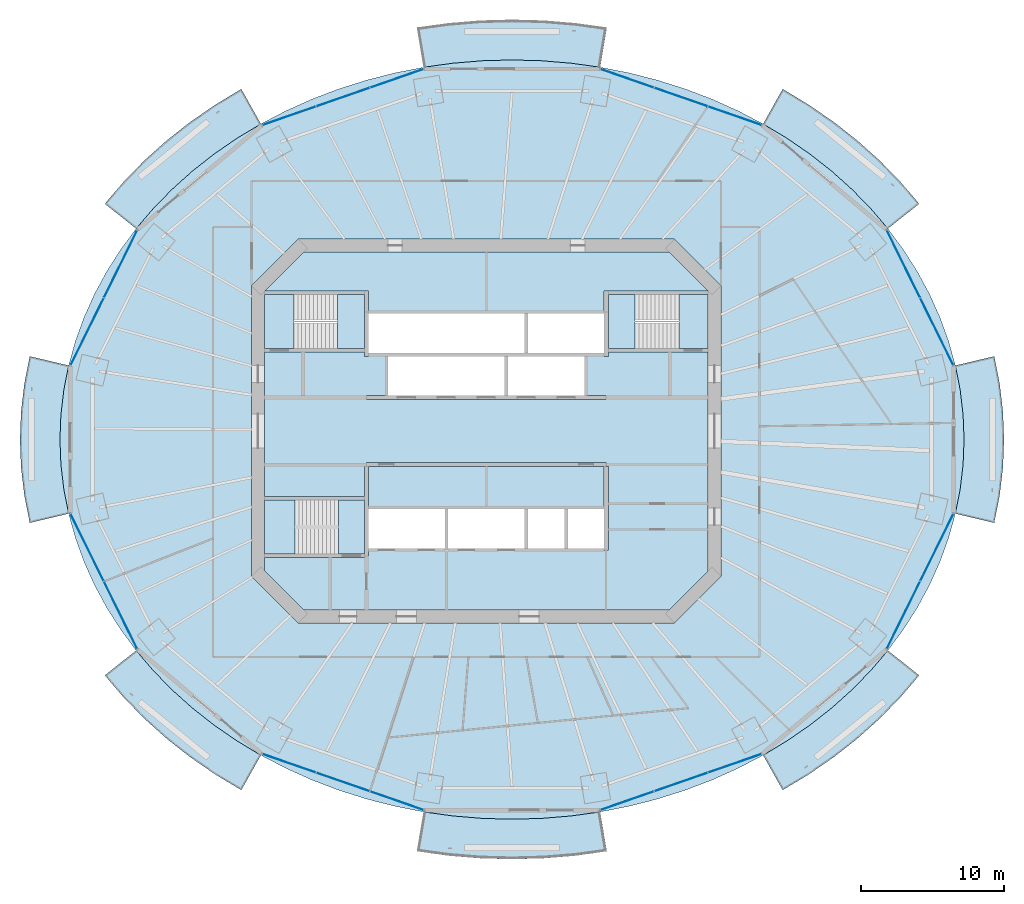
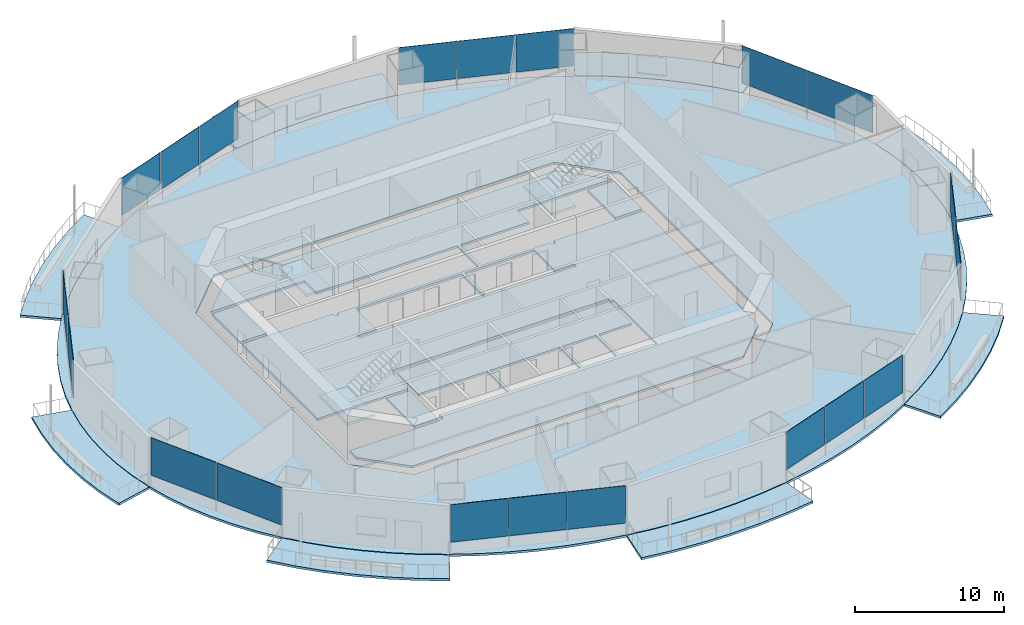
# One storey, part 11 of 21: 20 plates, 16 slabs, 11 elements without a shape of their own.
"""IFC4 building model written with IfcOpenShell, lengths in metres."""

from ifc_helpers import new_model, si_unit, direction, frame, origin, origin_2d, place, context, subcontext, project, spatial, polyline, rectangle, outline, extrude, material, layer, layer_set, type_object, element, aggregate, save


model = new_model("IFC4")

# Units and contexts
model_context = context("Model", 3, precision=1e-05, world=origin(), true_north=direction((0.0, 1.0)))
body_context = subcontext(model_context, "Body", "Model", "MODEL_VIEW")
ifc_project = project(units=[si_unit("LENGTHUNIT", "METRE"), si_unit("AREAUNIT", "SQUARE_METRE"), si_unit("VOLUMEUNIT", "CUBIC_METRE"), si_unit("PLANEANGLEUNIT", "RADIAN"), si_unit("MASSUNIT", "GRAM", prefix="KILO")], contexts=[model_context])

# Site, building, storey
site_placement = place(None, origin())
site = spatial("IfcSite", under=ifc_project, at=site_placement, CompositionType="ELEMENT")
building_placement = place(site_placement, origin())
building = spatial("IfcBuilding", under=site, at=building_placement, Name="Marenthal Gate Tower", CompositionType="ELEMENT")
storey_placement = place(building_placement, frame((0.0, 0.0, 206.699951171875)))
storey = spatial("IfcBuildingStorey", under=building, at=storey_placement, Name="L45", CompositionType="ELEMENT", Elevation=206.699951171875)

# Slabs
ifc_material_1 = material(Name="Concrete 40 MPa", Category="concrete")
ifc_layer_1 = layer(ifc_material_1, 0.179931640625)
ifc_layer_set_1 = layer_set([ifc_layer_1], Name="Balcony deck 180")
slab_type_1 = type_object("IfcSlabType", Name="Balcony deck 180", PredefinedType="USERDEFINED", material=ifc_layer_set_1)
slab_1_placement = place(storey_placement, frame((0.0, 0.0, -0.219970703125)))
element("IfcSlab", 1, at=slab_1_placement, inside=storey, type_object=slab_type_1, Name="Balcony deck L45 bay 2", ObjectType="BALCONY", PredefinedType="USERDEFINED", context=body_context, shape_type="SweptSolid", body=[
    extrude(outline(polyline([(28.15087890625, 14.1865234375), (26.943115234375, 15.602294921875), (25.627197265625, 16.948486328125), (24.209716796875, 18.219482421875), (22.696044921875, 19.41015625), (21.093017578125, 20.51513671875), (19.406982421875, 21.529541015625), (20.77734375, 23.971435546875), (22.609619140625, 22.86865234375), (24.3564453125, 21.664794921875), (26.01025390625, 20.36376953125), (27.56396484375, 18.970703125), (29.010009765625, 17.490966796875), (30.342041015625, 15.929931640625), (28.15087890625, 14.1865234375)])), origin(), (0.0, 0.0, 1.0), 0.179931640625),
])
slab_2_placement = place(storey_placement, frame((0.0, 0.0, -0.219970703125)))
element("IfcSlab", 2, at=slab_2_placement, inside=storey, type_object=slab_type_1, Name="Balcony deck L45 bay 4", ObjectType="BALCONY", PredefinedType="USERDEFINED", context=body_context, shape_type="SweptSolid", body=[
    extrude(outline(polyline([(7.98291015625, 25.503662109375), (5.9365234375, 25.787353515625), (3.872802734375, 25.9580078125), (1.800048828125, 26.014892578125), (-0.272705078125, 25.9580078125), (-2.336669921875, 25.787353515625), (-4.3828125, 25.503662109375), (-4.84423828125, 28.265380859375), (-2.644287109375, 28.5703125), (-0.4267578125, 28.753662109375), (1.800048828125, 28.81494140625), (4.026611328125, 28.753662109375), (6.244384765625, 28.5703125), (8.444091796875, 28.265380859375), (7.98291015625, 25.503662109375)])), origin(), (0.0, 0.0, 1.0), 0.179931640625),
])
slab_3_placement = place(storey_placement, frame((0.0, 0.0, -0.219970703125)))
element("IfcSlab", 3, at=slab_3_placement, inside=storey, type_object=slab_type_1, Name="Balcony deck L45 bay 6", ObjectType="BALCONY", PredefinedType="USERDEFINED", context=body_context, shape_type="SweptSolid", body=[
    extrude(outline(polyline([(-15.80712890625, 21.529541015625), (-17.492919921875, 20.51513671875), (-19.095947265625, 19.41015625), (-20.609619140625, 18.219482421875), (-22.02734375, 16.948486328125), (-23.343017578125, 15.602294921875), (-24.55078125, 14.1865234375), (-26.741943359375, 15.929931640625), (-25.41015625, 17.490966796875), (-23.9638671875, 18.970703125), (-22.410400390625, 20.36376953125), (-20.75634765625, 21.664794921875), (-19.009521484375, 22.86865234375), (-17.17724609375, 23.971435546875), (-15.80712890625, 21.529541015625)])), origin(), (0.0, 0.0, 1.0), 0.179931640625),
])
slab_4_placement = place(storey_placement, frame((0.0, 0.0, -0.219970703125)))
element("IfcSlab", 4, at=slab_4_placement, inside=storey, type_object=slab_type_1, Name="Balcony deck L45 bay 8", ObjectType="BALCONY", PredefinedType="USERDEFINED", context=body_context, shape_type="SweptSolid", body=[
    extrude(outline(polyline([(-29.282958984375, 4.59228515625), (-29.620849609375, 2.8740234375), (-29.82421875, 1.140625), (-29.89208984375, -0.60009765625), (-29.82421875, -2.3408203125), (-29.620849609375, -4.073974609375), (-29.282958984375, -5.792236328125), (-32.007568359375, -6.437744140625), (-32.38720703125, -4.507568359375), (-32.61572265625, -2.55859375), (-32.69189453125, -0.60009765625), (-32.61572265625, 1.358642578125), (-32.38720703125, 3.3076171875), (-32.007568359375, 5.237548828125), (-29.282958984375, 4.59228515625)])), origin(), (0.0, 0.0, 1.0), 0.179931640625),
])
slab_5_placement = place(storey_placement, frame((0.0, 0.0, -0.219970703125)))
element("IfcSlab", 5, at=slab_5_placement, inside=storey, type_object=slab_type_1, Name="Balcony deck L45 bay 10", ObjectType="BALCONY", PredefinedType="USERDEFINED", context=body_context, shape_type="SweptSolid", body=[
    extrude(outline(polyline([(-24.55078125, -15.386474609375), (-23.343017578125, -16.80224609375), (-22.02734375, -18.1484375), (-20.609619140625, -19.419677734375), (-19.095947265625, -20.610107421875), (-17.492919921875, -21.715087890625), (-15.80712890625, -22.7294921875), (-17.17724609375, -25.17138671875), (-19.009521484375, -24.06884765625), (-20.75634765625, -22.86474609375), (-22.410400390625, -21.563720703125), (-23.9638671875, -20.1708984375), (-25.41015625, -18.69091796875), (-26.741943359375, -17.1298828125), (-24.55078125, -15.386474609375)])), origin(), (0.0, 0.0, 1.0), 0.179931640625),
])
slab_6_placement = place(storey_placement, frame((0.0, 0.0, -0.219970703125)))
element("IfcSlab", 6, at=slab_6_placement, inside=storey, type_object=slab_type_1, Name="Balcony deck L45 bay 12", ObjectType="BALCONY", PredefinedType="USERDEFINED", context=body_context, shape_type="SweptSolid", body=[
    extrude(outline(polyline([(-4.3828125, -26.70361328125), (-2.336669921875, -26.9873046875), (-0.272705078125, -27.157958984375), (1.800048828125, -27.215087890625), (3.872802734375, -27.157958984375), (5.9365234375, -26.9873046875), (7.98291015625, -26.70361328125), (8.444091796875, -29.46533203125), (6.244384765625, -29.770263671875), (4.026611328125, -29.953857421875), (1.800048828125, -30.014892578125), (-0.4267578125, -29.953857421875), (-2.644287109375, -29.770263671875), (-4.84423828125, -29.46533203125), (-4.3828125, -26.70361328125)])), origin(), (0.0, 0.0, 1.0), 0.179931640625),
])
slab_7_placement = place(storey_placement, frame((0.0, 0.0, -0.219970703125)))
element("IfcSlab", 7, at=slab_7_placement, inside=storey, type_object=slab_type_1, Name="Balcony deck L45 bay 14", ObjectType="BALCONY", PredefinedType="USERDEFINED", context=body_context, shape_type="SweptSolid", body=[
    extrude(outline(polyline([(19.406982421875, -22.7294921875), (21.093017578125, -21.715087890625), (22.696044921875, -20.610107421875), (24.209716796875, -19.419677734375), (25.627197265625, -18.1484375), (26.943115234375, -16.80224609375), (28.15087890625, -15.386474609375), (30.342041015625, -17.1298828125), (29.010009765625, -18.69091796875), (27.56396484375, -20.1708984375), (26.01025390625, -21.563720703125), (24.3564453125, -22.86474609375), (22.609619140625, -24.06884765625), (20.77734375, -25.17138671875), (19.406982421875, -22.7294921875)])), origin(), (0.0, 0.0, 1.0), 0.179931640625),
])
slab_8_placement = place(storey_placement, frame((0.0, 0.0, -0.219970703125)))
element("IfcSlab", 8, at=slab_8_placement, inside=storey, type_object=slab_type_1, Name="Balcony deck L45 bay 16", ObjectType="BALCONY", PredefinedType="USERDEFINED", context=body_context, shape_type="SweptSolid", body=[
    extrude(outline(polyline([(32.883056640625, -5.792236328125), (33.220947265625, -4.073974609375), (33.424072265625, -2.3408203125), (33.491943359375, -0.60009765625), (33.424072265625, 1.140625), (33.220947265625, 2.8740234375), (32.883056640625, 4.59228515625), (35.607666015625, 5.237548828125), (35.987060546875, 3.3076171875), (36.215576171875, 1.358642578125), (36.2919921875, -0.60009765625), (36.215576171875, -2.55859375), (35.987060546875, -4.507568359375), (35.607666015625, -6.437744140625), (32.883056640625, -5.792236328125)])), origin(), (0.0, 0.0, 1.0), 0.179931640625),
])
ifc_material_2 = material(Name="Concrete 50 MPa", Category="concrete")
ifc_layer_2 = layer(ifc_material_2, 0.179931640625)
ifc_layer_set_2 = layer_set([ifc_layer_2], Name="Core floor slab 180")
slab_type_2 = type_object("IfcSlabType", Name="Core floor slab 180", PredefinedType="FLOOR", material=ifc_layer_set_2)
slab_9_placement = place(storey_placement, frame((0.0, 0.0, -0.179931640625)))
element("IfcSlab", 9, at=slab_9_placement, inside=storey, type_object=slab_type_2, Name="Core floor L45", PredefinedType="FLOOR", context=body_context, shape_type="SweptSolid", body=[
    extrude(outline(polyline([(12.813720703125, -12.550048828125), (-12.813720703125, -12.550048828125), (-15.550048828125, -9.813720703125), (-15.550048828125, -8.875), (-8.550048828125, -8.875), (-8.550048828125, -8.75), (-8.25, -8.75), (-8.25, -8.239990234375), (-5.60009765625, -8.239990234375), (-2.909912109375, -8.239990234375), (-2.909912109375, -5.4599609375), (-5.60009765625, -5.4599609375), (-8.25, -5.4599609375), (-8.25, -2.5), (8.25, -2.5), (8.25, -5.4599609375), (5.7099609375, -5.4599609375), (5.7099609375, -8.239990234375), (8.25, -8.239990234375), (8.25, -8.35009765625), (8.550048828125, -8.35009765625), (8.550048828125, -2.5), (8.39990234375, -2.5), (8.39990234375, -2.199951171875), (-8.39990234375, -2.199951171875), (-8.39990234375, -2.5), (-8.550048828125, -2.5), (-8.550048828125, -4.574951171875), (-15.550048828125, -4.574951171875), (-15.550048828125, 5.52490234375), (-8.550048828125, 5.52490234375), (-8.550048828125, 5.239990234375), (-8.25, 5.239990234375), (-8.25, 5.4599609375), (-5.60009765625, 5.4599609375), (-2.800048828125, 5.4599609375), (0.0, 5.4599609375), (2.68994140625, 5.4599609375), (2.68994140625, 8.239990234375), (0.0, 8.239990234375), (-2.800048828125, 8.239990234375), (-5.60009765625, 8.239990234375), (-8.25, 8.239990234375), (-8.25, 8.35009765625), (-8.25, 9.824951171875), (-8.550048828125, 9.824951171875), (-15.53857421875, 9.824951171875), (-12.813720703125, 12.550048828125), (12.813720703125, 12.550048828125), (15.53857421875, 9.824951171875), (8.550048828125, 9.824951171875), (8.25, 9.824951171875), (8.25, 8.35009765625), (8.25, 8.239990234375), (5.60009765625, 8.239990234375), (2.909912109375, 8.239990234375), (2.909912109375, 5.4599609375), (5.60009765625, 5.4599609375), (8.25, 5.4599609375), (8.25, 5.239990234375), (8.550048828125, 5.239990234375), (8.550048828125, 5.52490234375), (15.550048828125, 5.52490234375), (15.550048828125, -9.813720703125), (12.813720703125, -12.550048828125)]), holes=[polyline([(2.68994140625, -8.239990234375), (2.68994140625, -5.4599609375), (0.0, -5.4599609375), (-2.68994140625, -5.4599609375), (-2.68994140625, -8.239990234375), (0.0, -8.239990234375), (2.68994140625, -8.239990234375)]), polyline([(-6.889892578125, 5.239990234375), (-6.889892578125, 2.5), (-8.39990234375, 2.5), (-8.39990234375, 2.199951171875), (8.39990234375, 2.199951171875), (8.39990234375, 2.5), (6.889892578125, 2.5), (6.889892578125, 5.239990234375), (4.199951171875, 5.239990234375), (1.510009765625, 5.239990234375), (1.510009765625, 2.5), (1.2900390625, 2.5), (1.2900390625, 5.239990234375), (-1.39990234375, 5.239990234375), (-4.199951171875, 5.239990234375), (-6.889892578125, 5.239990234375)]), polyline([(5.489990234375, -8.239990234375), (5.489990234375, -5.4599609375), (2.909912109375, -5.4599609375), (2.909912109375, -8.239990234375), (5.489990234375, -8.239990234375)])]), origin(), (0.0, 0.0, 1.0), 0.179931640625),
])
slab_10_placement = place(storey_placement, frame((0.0, 0.0, -0.179931640625)))
element("IfcSlab", 10, at=slab_10_placement, inside=storey, type_object=slab_type_2, Name="Core floor L45", PredefinedType="FLOOR", context=body_context, shape_type="SweptSolid", body=[
    extrude(outline(polyline([(15.550048828125, 5.77490234375), (13.5, 5.77490234375), (13.5, 9.574951171875), (15.550048828125, 9.574951171875), (15.550048828125, 5.77490234375)])), origin(), (0.0, 0.0, 1.0), 0.179931640625),
])
slab_11_placement = place(storey_placement, frame((0.0, 0.0, -0.179931640625)))
element("IfcSlab", 11, at=slab_11_placement, inside=storey, type_object=slab_type_2, Name="Core floor L45", PredefinedType="FLOOR", context=body_context, shape_type="SweptSolid", body=[
    extrude(outline(polyline([(-15.550048828125, 9.574951171875), (-13.5, 9.574951171875), (-13.5, 5.77490234375), (-15.550048828125, 5.77490234375), (-15.550048828125, 9.574951171875)])), origin(), (0.0, 0.0, 1.0), 0.179931640625),
])
slab_12_placement = place(storey_placement, frame((0.0, 0.0, -0.179931640625)))
element("IfcSlab", 12, at=slab_12_placement, inside=storey, type_object=slab_type_2, Name="Core floor L45", PredefinedType="FLOOR", context=body_context, shape_type="SweptSolid", body=[
    extrude(outline(polyline([(-8.550048828125, -8.625), (-10.35009765625, -8.625), (-10.35009765625, -4.824951171875), (-8.550048828125, -4.824951171875), (-8.550048828125, -8.625)])), origin(), (0.0, 0.0, 1.0), 0.179931640625),
])
ifc_material_3 = material(Name="Concrete 35 MPa", Category="concrete")
ifc_layer_3 = layer(ifc_material_3, 0.179931640625)
ifc_layer_set_3 = layer_set([ifc_layer_3], Name="Floor slab 180")
slab_type_3 = type_object("IfcSlabType", Name="Floor slab 180", PredefinedType="FLOOR", material=ifc_layer_set_3)
slab_13_placement = place(storey_placement, frame((0.0, 0.0, -0.179931640625)))
element("IfcSlab", 13, at=slab_13_placement, inside=storey, type_object=slab_type_3, Name="SL-L45-01", PredefinedType="FLOOR", context=body_context, shape_type="SweptSolid", body=[
    extrude(outline(polyline([(33.491943359375, -0.60009765625), (33.424072265625, 1.140625), (33.220947265625, 2.8740234375), (32.883056640625, 4.59228515625), (32.412109375, 6.28857421875), (31.81005859375, 7.955078125), (31.07958984375, 9.585205078125), (30.2236328125, 11.17138671875), (29.24609375, 12.70751953125), (28.15087890625, 14.1865234375), (26.943115234375, 15.602294921875), (25.627197265625, 16.948486328125), (24.209716796875, 18.219482421875), (22.696044921875, 19.41015625), (21.093017578125, 20.51513671875), (19.406982421875, 21.529541015625), (17.64599609375, 22.44921875), (15.81689453125, 23.270263671875), (13.927978515625, 23.989013671875), (11.987060546875, 24.6025390625), (10.00244140625, 25.108154296875), (7.98291015625, 25.503662109375), (5.9365234375, 25.787353515625), (3.872802734375, 25.9580078125), (1.800048828125, 26.014892578125), (-0.272705078125, 25.9580078125), (-2.336669921875, 25.787353515625), (-4.3828125, 25.503662109375), (-6.402587890625, 25.108154296875), (-8.38720703125, 24.6025390625), (-10.327880859375, 23.989013671875), (-12.217041015625, 23.270263671875), (-14.0458984375, 22.44921875), (-15.80712890625, 21.529541015625), (-17.492919921875, 20.51513671875), (-19.095947265625, 19.41015625), (-20.609619140625, 18.219482421875), (-22.02734375, 16.948486328125), (-23.343017578125, 15.602294921875), (-24.55078125, 14.1865234375), (-25.64599609375, 12.70751953125), (-26.623779296875, 11.17138671875), (-27.4794921875, 9.585205078125), (-28.210205078125, 7.955078125), (-28.81201171875, 6.28857421875), (-29.282958984375, 4.59228515625), (-29.620849609375, 2.8740234375), (-29.82421875, 1.140625), (-29.89208984375, -0.60009765625), (-29.82421875, -2.3408203125), (-29.620849609375, -4.073974609375), (-29.282958984375, -5.792236328125), (-28.81201171875, -7.488525390625), (-28.210205078125, -9.155029296875), (-27.4794921875, -10.78515625), (-26.623779296875, -12.37158203125), (-25.64599609375, -13.907470703125), (-24.55078125, -15.386474609375), (-23.343017578125, -16.80224609375), (-22.02734375, -18.1484375), (-20.609619140625, -19.419677734375), (-19.095947265625, -20.610107421875), (-17.492919921875, -21.715087890625), (-15.80712890625, -22.7294921875), (-14.0458984375, -23.6494140625), (-12.217041015625, -24.47021484375), (-10.327880859375, -25.189208984375), (-8.38720703125, -25.802490234375), (-6.402587890625, -26.30810546875), (-4.3828125, -26.70361328125), (-2.336669921875, -26.9873046875), (-0.272705078125, -27.157958984375), (1.800048828125, -27.215087890625), (3.872802734375, -27.157958984375), (5.9365234375, -26.9873046875), (7.98291015625, -26.70361328125), (10.00244140625, -26.30810546875), (11.987060546875, -25.802490234375), (13.927978515625, -25.189208984375), (15.81689453125, -24.47021484375), (17.64599609375, -23.6494140625), (19.406982421875, -22.7294921875), (21.093017578125, -21.715087890625), (22.696044921875, -20.610107421875), (24.209716796875, -19.419677734375), (25.627197265625, -18.1484375), (26.943115234375, -16.80224609375), (28.15087890625, -15.386474609375), (29.24609375, -13.907470703125), (30.2236328125, -12.37158203125), (31.07958984375, -10.78515625), (31.81005859375, -9.155029296875), (32.412109375, -7.488525390625), (32.883056640625, -5.792236328125), (33.220947265625, -4.073974609375), (33.424072265625, -2.3408203125), (33.491943359375, -0.60009765625)]), holes=[polyline([(13.186279296875, -13.449951171875), (16.449951171875, -10.186279296875), (16.449951171875, 10.186279296875), (13.186279296875, 13.449951171875), (-13.186279296875, 13.449951171875), (-16.449951171875, 10.186279296875), (-16.449951171875, -10.186279296875), (-13.186279296875, -13.449951171875), (13.186279296875, -13.449951171875)])]), origin(), (0.0, 0.0, 1.0), 0.179931640625),
])

# Curtain wall, plates
ifc_material_4 = material(Name="Aluminium and glass", Category="aluminium")
curtain_wall_type = type_object("IfcCurtainWallType", Name="Curtain wall typical mid", PredefinedType="NOTDEFINED", material=ifc_material_4)
curtain_wall_1_placement = place(storey_placement, origin())
curtain_wall_1 = element("IfcCurtainWall", 14, at=curtain_wall_1_placement, inside=storey, type_object=curtain_wall_type, Name="Curtain wall L45 bay 1", PredefinedType="NOTDEFINED")
ifc_material_5 = material(Name="Glass, laminated insulating unit", Category="glass")
ifc_layer_4 = layer(ifc_material_5, 0.030029296875)
ifc_layer_set_4 = layer_set([ifc_layer_4], Name="Glass panel 30 typical mid")
plate_type = type_object("IfcPlateType", Name="Glass panel 30 typical mid", PredefinedType="CURTAIN_PANEL", material=ifc_layer_set_4)
plate_1_placement = place(storey_placement, frame((31.580322265625, 6.969970703125, 0.89990234375), z_axis=(0.0, 0.0, 1.0), x_axis=(-0.442607164057, 0.896715617309, 0.0)))
plate_1 = element("IfcPlate", 15, at=plate_1_placement, type_object=plate_type, Name="Glass panel L45 bay 1.1", PredefinedType="CURTAIN_PANEL", context=body_context, shape_type="SweptSolid", body=[
    extrude(rectangle(XDim=5.235595703125, YDim=0.030029296875, at=origin_2d()), origin(), (0.0, 0.0, 1.0), 3.070068359375),
])
plate_2_placement = place(storey_placement, frame((29.236328125, 11.71875, 0.89990234375), z_axis=(0.0, 0.0, 1.0), x_axis=(-0.442607164057, 0.896715617309, 0.0)))
plate_2 = element("IfcPlate", 16, at=plate_2_placement, type_object=plate_type, Name="Glass panel L45 bay 1.2", PredefinedType="CURTAIN_PANEL", context=body_context, shape_type="SweptSolid", body=[
    extrude(rectangle(XDim=5.235595703125, YDim=0.030029296875, at=origin_2d()), origin(), (0.0, 0.0, 1.0), 3.070068359375),
])
aggregate(curtain_wall_1, [plate_1, plate_2])

curtain_wall_2_placement = place(storey_placement, origin())
curtain_wall_2 = element("IfcCurtainWall", 17, at=curtain_wall_2_placement, inside=storey, type_object=curtain_wall_type, Name="Curtain wall L45 bay 3", PredefinedType="NOTDEFINED")
plate_3_placement = place(storey_placement, frame((17.4248046875, 22.095703125, 0.89990234375), z_axis=(0.0, 0.0, 1.0), x_axis=(-0.944562277362, 0.328332307555, 0.0)))
plate_3 = element("IfcPlate", 18, at=plate_3_placement, type_object=plate_type, Name="Glass panel L45 bay 3.1", PredefinedType="CURTAIN_PANEL", context=body_context, shape_type="SweptSolid", body=[
    extrude(rectangle(XDim=3.936279296875, YDim=0.030029296875, at=origin_2d()), origin(), (0.0, 0.0, 1.0), 3.070068359375),
])
plate_4_placement = place(storey_placement, frame((13.64990234375, 23.407958984375, 0.89990234375), z_axis=(0.0, 0.0, 1.0), x_axis=(-0.944562277362, 0.328332307555, 0.0)))
plate_4 = element("IfcPlate", 19, at=plate_4_placement, type_object=plate_type, Name="Glass panel L45 bay 3.2", PredefinedType="CURTAIN_PANEL", context=body_context, shape_type="SweptSolid", body=[
    extrude(rectangle(XDim=3.936279296875, YDim=0.030029296875, at=origin_2d()), origin(), (0.0, 0.0, 1.0), 3.070068359375),
])
plate_5_placement = place(storey_placement, frame((9.875244140625, 24.719970703125, 0.89990234375), z_axis=(0.0, 0.0, 1.0), x_axis=(-0.944562277362, 0.328332307555, 0.0)))
plate_5 = element("IfcPlate", 20, at=plate_5_placement, type_object=plate_type, Name="Glass panel L45 bay 3.3", PredefinedType="CURTAIN_PANEL", context=body_context, shape_type="SweptSolid", body=[
    extrude(rectangle(XDim=3.936279296875, YDim=0.030029296875, at=origin_2d()), origin(), (0.0, 0.0, 1.0), 3.070068359375),
])
aggregate(curtain_wall_2, [plate_3, plate_4, plate_5])

curtain_wall_3_placement = place(storey_placement, origin())
curtain_wall_3 = element("IfcCurtainWall", 21, at=curtain_wall_3_placement, inside=storey, type_object=curtain_wall_type, Name="Curtain wall L45 bay 5", PredefinedType="NOTDEFINED")
plate_6_placement = place(storey_placement, frame((-6.275146484375, 24.719970703125, 0.89990234375), z_axis=(0.0, 0.0, 1.0), x_axis=(-0.944562277362, -0.328332307555, 0.0)))
plate_6 = element("IfcPlate", 22, at=plate_6_placement, type_object=plate_type, Name="Glass panel L45 bay 5.1", PredefinedType="CURTAIN_PANEL", context=body_context, shape_type="SweptSolid", body=[
    extrude(rectangle(XDim=3.936279296875, YDim=0.030029296875, at=origin_2d()), origin(), (0.0, 0.0, 1.0), 3.070068359375),
])
plate_7_placement = place(storey_placement, frame((-10.050048828125, 23.407958984375, 0.89990234375), z_axis=(0.0, 0.0, 1.0), x_axis=(-0.944562277362, -0.328332307555, 0.0)))
plate_7 = element("IfcPlate", 23, at=plate_7_placement, type_object=plate_type, Name="Glass panel L45 bay 5.2", PredefinedType="CURTAIN_PANEL", context=body_context, shape_type="SweptSolid", body=[
    extrude(rectangle(XDim=3.936279296875, YDim=0.030029296875, at=origin_2d()), origin(), (0.0, 0.0, 1.0), 3.070068359375),
])
plate_8_placement = place(storey_placement, frame((-13.82470703125, 22.095703125, 0.89990234375), z_axis=(0.0, 0.0, 1.0), x_axis=(-0.944562277362, -0.328332307555, 0.0)))
plate_8 = element("IfcPlate", 24, at=plate_8_placement, type_object=plate_type, Name="Glass panel L45 bay 5.3", PredefinedType="CURTAIN_PANEL", context=body_context, shape_type="SweptSolid", body=[
    extrude(rectangle(XDim=3.936279296875, YDim=0.030029296875, at=origin_2d()), origin(), (0.0, 0.0, 1.0), 3.070068359375),
])
aggregate(curtain_wall_3, [plate_6, plate_7, plate_8])

curtain_wall_4_placement = place(storey_placement, origin())
curtain_wall_4 = element("IfcCurtainWall", 25, at=curtain_wall_4_placement, inside=storey, type_object=curtain_wall_type, Name="Curtain wall L45 bay 7", PredefinedType="NOTDEFINED")
plate_9_placement = place(storey_placement, frame((-25.636474609375, 11.718505859375, 0.89990234375), z_axis=(0.0, 0.0, 1.0), x_axis=(-0.442607164057, -0.896715617309, 0.0)))
plate_9 = element("IfcPlate", 26, at=plate_9_placement, type_object=plate_type, Name="Glass panel L45 bay 7.1", PredefinedType="CURTAIN_PANEL", context=body_context, shape_type="SweptSolid", body=[
    extrude(rectangle(XDim=5.235595703125, YDim=0.030029296875, at=origin_2d()), origin(), (0.0, 0.0, 1.0), 3.070068359375),
])
plate_10_placement = place(storey_placement, frame((-27.980224609375, 6.969970703125, 0.89990234375), z_axis=(0.0, 0.0, 1.0), x_axis=(-0.442607164057, -0.896715617309, 0.0)))
plate_10 = element("IfcPlate", 27, at=plate_10_placement, type_object=plate_type, Name="Glass panel L45 bay 7.2", PredefinedType="CURTAIN_PANEL", context=body_context, shape_type="SweptSolid", body=[
    extrude(rectangle(XDim=5.235595703125, YDim=0.030029296875, at=origin_2d()), origin(), (0.0, 0.0, 1.0), 3.070068359375),
])
aggregate(curtain_wall_4, [plate_9, plate_10])

curtain_wall_5_placement = place(storey_placement, origin())
curtain_wall_5 = element("IfcCurtainWall", 28, at=curtain_wall_5_placement, inside=storey, type_object=curtain_wall_type, Name="Curtain wall L45 bay 9", PredefinedType="NOTDEFINED")
plate_11_placement = place(storey_placement, frame((-27.980224609375, -8.170166015625, 0.89990234375), z_axis=(0.0, 0.0, 1.0), x_axis=(0.442607164057, -0.896715617309, 0.0)))
plate_11 = element("IfcPlate", 29, at=plate_11_placement, type_object=plate_type, Name="Glass panel L45 bay 9.1", PredefinedType="CURTAIN_PANEL", context=body_context, shape_type="SweptSolid", body=[
    extrude(rectangle(XDim=5.235595703125, YDim=0.030029296875, at=origin_2d()), origin(), (0.0, 0.0, 1.0), 3.070068359375),
])
plate_12_placement = place(storey_placement, frame((-25.636474609375, -12.918701171875, 0.89990234375), z_axis=(0.0, 0.0, 1.0), x_axis=(0.442607164057, -0.896715617309, 0.0)))
plate_12 = element("IfcPlate", 30, at=plate_12_placement, type_object=plate_type, Name="Glass panel L45 bay 9.2", PredefinedType="CURTAIN_PANEL", context=body_context, shape_type="SweptSolid", body=[
    extrude(rectangle(XDim=5.235595703125, YDim=0.030029296875, at=origin_2d()), origin(), (0.0, 0.0, 1.0), 3.070068359375),
])
aggregate(curtain_wall_5, [plate_11, plate_12])

curtain_wall_6_placement = place(storey_placement, origin())
curtain_wall_6 = element("IfcCurtainWall", 31, at=curtain_wall_6_placement, inside=storey, type_object=curtain_wall_type, Name="Curtain wall L45 bay 11", PredefinedType="NOTDEFINED")
plate_13_placement = place(storey_placement, frame((-13.82470703125, -23.295654296875, 0.89990234375), z_axis=(0.0, 0.0, 1.0), x_axis=(0.944562277362, -0.328332307555, 0.0)))
plate_13 = element("IfcPlate", 32, at=plate_13_placement, type_object=plate_type, Name="Glass panel L45 bay 11.1", PredefinedType="CURTAIN_PANEL", context=body_context, shape_type="SweptSolid", body=[
    extrude(rectangle(XDim=3.936279296875, YDim=0.030029296875, at=origin_2d()), origin(), (0.0, 0.0, 1.0), 3.070068359375),
])
plate_14_placement = place(storey_placement, frame((-10.050048828125, -24.60791015625, 0.89990234375), z_axis=(0.0, 0.0, 1.0), x_axis=(0.944562277362, -0.328332307555, 0.0)))
plate_14 = element("IfcPlate", 33, at=plate_14_placement, type_object=plate_type, Name="Glass panel L45 bay 11.2", PredefinedType="CURTAIN_PANEL", context=body_context, shape_type="SweptSolid", body=[
    extrude(rectangle(XDim=3.936279296875, YDim=0.030029296875, at=origin_2d()), origin(), (0.0, 0.0, 1.0), 3.070068359375),
])
plate_15_placement = place(storey_placement, frame((-6.275146484375, -25.919921875, 0.89990234375), z_axis=(0.0, 0.0, 1.0), x_axis=(0.944562277362, -0.328332307555, 0.0)))
plate_15 = element("IfcPlate", 34, at=plate_15_placement, type_object=plate_type, Name="Glass panel L45 bay 11.3", PredefinedType="CURTAIN_PANEL", context=body_context, shape_type="SweptSolid", body=[
    extrude(rectangle(XDim=3.936279296875, YDim=0.030029296875, at=origin_2d()), origin(), (0.0, 0.0, 1.0), 3.070068359375),
])
aggregate(curtain_wall_6, [plate_13, plate_14, plate_15])

curtain_wall_7_placement = place(storey_placement, origin())
curtain_wall_7 = element("IfcCurtainWall", 35, at=curtain_wall_7_placement, inside=storey, type_object=curtain_wall_type, Name="Curtain wall L45 bay 13", PredefinedType="NOTDEFINED")
plate_16_placement = place(storey_placement, frame((9.875244140625, -25.919921875, 0.89990234375), z_axis=(0.0, 0.0, 1.0), x_axis=(0.944562277362, 0.328332307555, 0.0)))
plate_16 = element("IfcPlate", 36, at=plate_16_placement, type_object=plate_type, Name="Glass panel L45 bay 13.1", PredefinedType="CURTAIN_PANEL", context=body_context, shape_type="SweptSolid", body=[
    extrude(rectangle(XDim=3.936279296875, YDim=0.030029296875, at=origin_2d()), origin(), (0.0, 0.0, 1.0), 3.070068359375),
])
plate_17_placement = place(storey_placement, frame((13.64990234375, -24.60791015625, 0.89990234375), z_axis=(0.0, 0.0, 1.0), x_axis=(0.944562277362, 0.328332307555, 0.0)))
plate_17 = element("IfcPlate", 37, at=plate_17_placement, type_object=plate_type, Name="Glass panel L45 bay 13.2", PredefinedType="CURTAIN_PANEL", context=body_context, shape_type="SweptSolid", body=[
    extrude(rectangle(XDim=3.936279296875, YDim=0.030029296875, at=origin_2d()), origin(), (0.0, 0.0, 1.0), 3.070068359375),
])
plate_18_placement = place(storey_placement, frame((17.4248046875, -23.295654296875, 0.89990234375), z_axis=(0.0, 0.0, 1.0), x_axis=(0.944562277362, 0.328332307555, 0.0)))
plate_18 = element("IfcPlate", 38, at=plate_18_placement, type_object=plate_type, Name="Glass panel L45 bay 13.3", PredefinedType="CURTAIN_PANEL", context=body_context, shape_type="SweptSolid", body=[
    extrude(rectangle(XDim=3.936279296875, YDim=0.030029296875, at=origin_2d()), origin(), (0.0, 0.0, 1.0), 3.070068359375),
])
aggregate(curtain_wall_7, [plate_16, plate_17, plate_18])

curtain_wall_8_placement = place(storey_placement, origin())
curtain_wall_8 = element("IfcCurtainWall", 39, at=curtain_wall_8_placement, inside=storey, type_object=curtain_wall_type, Name="Curtain wall L45 bay 15", PredefinedType="NOTDEFINED")
plate_19_placement = place(storey_placement, frame((29.236328125, -12.918701171875, 0.89990234375), z_axis=(0.0, 0.0, 1.0), x_axis=(0.442607164057, 0.896715617309, 0.0)))
plate_19 = element("IfcPlate", 40, at=plate_19_placement, type_object=plate_type, Name="Glass panel L45 bay 15.1", PredefinedType="CURTAIN_PANEL", context=body_context, shape_type="SweptSolid", body=[
    extrude(rectangle(XDim=5.235595703125, YDim=0.030029296875, at=origin_2d()), origin(), (0.0, 0.0, 1.0), 3.070068359375),
])
plate_20_placement = place(storey_placement, frame((31.580322265625, -8.170166015625, 0.89990234375), z_axis=(0.0, 0.0, 1.0), x_axis=(0.442607164057, 0.896715617309, 0.0)))
plate_20 = element("IfcPlate", 41, at=plate_20_placement, type_object=plate_type, Name="Glass panel L45 bay 15.2", PredefinedType="CURTAIN_PANEL", context=body_context, shape_type="SweptSolid", body=[
    extrude(rectangle(XDim=5.235595703125, YDim=0.030029296875, at=origin_2d()), origin(), (0.0, 0.0, 1.0), 3.070068359375),
])
aggregate(curtain_wall_8, [plate_19, plate_20])

# Stair, slab
ifc_material_6 = material(Name="Concrete 40 MPa", Category="concrete")
stair_type = type_object("IfcStairType", Name="Exit stair 1800", PredefinedType="HALF_TURN_STAIR", material=ifc_material_6)
stair_1_placement = place(storey_placement, origin())
stair_1 = element("IfcStair", 42, at=stair_1_placement, inside=storey, type_object=stair_type, Name="Stair ST1", PredefinedType="HALF_TURN_STAIR")
ifc_material_7 = material(Name="Concrete 40 MPa", Category="concrete")
ifc_layer_5 = layer(ifc_material_7, 0.199951171875)
ifc_layer_set_5 = layer_set([ifc_layer_5], Name="Stair landing 200")
slab_type_4 = type_object("IfcSlabType", Name="Stair landing 200", PredefinedType="LANDING", material=ifc_layer_set_5)
slab_14_placement = place(storey_placement, frame((0.0, 0.0, 1.875)))
slab_14 = element("IfcSlab", 43, at=slab_14_placement, type_object=slab_type_4, Name="ST1 landing 1", PredefinedType="LANDING", context=body_context, shape_type="SweptSolid", body=[
    extrude(outline(polyline([(-10.419921875, 5.77490234375), (-8.550048828125, 5.77490234375), (-8.550048828125, 9.574951171875), (-10.419921875, 9.574951171875), (-10.419921875, 5.77490234375)])), origin(), (0.0, 0.0, 1.0), 0.199951171875),
])
aggregate(stair_1, [slab_14])

stair_2_placement = place(storey_placement, origin())
stair_2 = element("IfcStair", 44, at=stair_2_placement, inside=storey, type_object=stair_type, Name="Stair ST2", PredefinedType="HALF_TURN_STAIR")
slab_15_placement = place(storey_placement, frame((0.0, 0.0, 1.875)))
slab_15 = element("IfcSlab", 45, at=slab_15_placement, type_object=slab_type_4, Name="ST2 landing 1", PredefinedType="LANDING", context=body_context, shape_type="SweptSolid", body=[
    extrude(outline(polyline([(-15.550048828125, -8.625), (-13.429931640625, -8.625), (-13.429931640625, -4.824951171875), (-15.550048828125, -4.824951171875), (-15.550048828125, -8.625)])), origin(), (0.0, 0.0, 1.0), 0.199951171875),
])
aggregate(stair_2, [slab_15])

stair_3_placement = place(storey_placement, origin())
stair_3 = element("IfcStair", 46, at=stair_3_placement, inside=storey, type_object=stair_type, Name="Stair ST3", PredefinedType="HALF_TURN_STAIR")
slab_16_placement = place(storey_placement, frame((0.0, 0.0, 1.875)))
slab_16 = element("IfcSlab", 47, at=slab_16_placement, type_object=slab_type_4, Name="ST3 landing 1", PredefinedType="LANDING", context=body_context, shape_type="SweptSolid", body=[
    extrude(outline(polyline([(8.550048828125, 5.77490234375), (10.419921875, 5.77490234375), (10.419921875, 9.574951171875), (8.550048828125, 9.574951171875), (8.550048828125, 5.77490234375)])), origin(), (0.0, 0.0, 1.0), 0.199951171875),
])
aggregate(stair_3, [slab_16])

save(model, "model.ifc")
